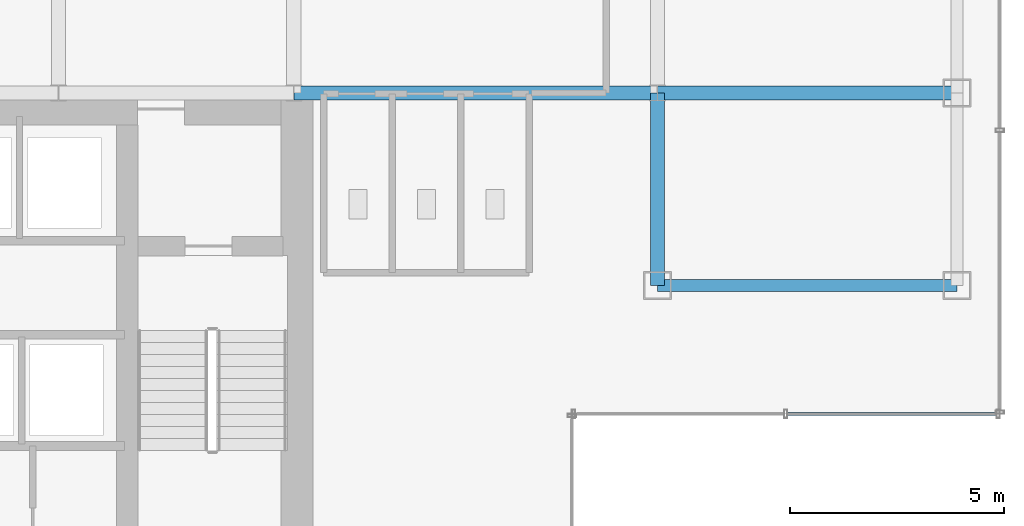
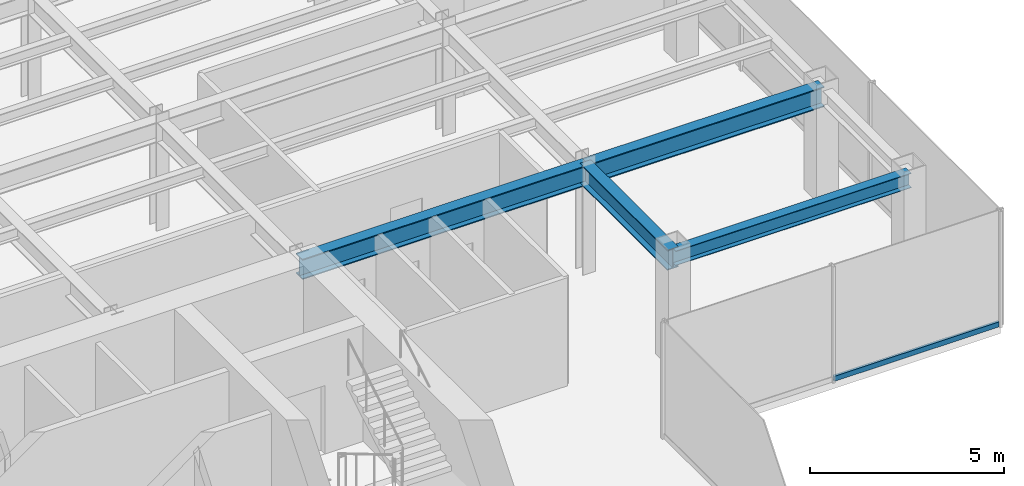
# One storey, part 10 of 25: 4 beams, 1 member, 1 element without a shape of its own.
"""IFC4 building model written with IfcOpenShell, lengths in metres."""

from ifc_helpers import new_model, si_unit, derived_unit, direction, frame, origin, origin_2d, place, context, subcontext, project, spatial, hollow_rectangle, i_section, extrude, source, transform, mapped, material, material_profile, profile_set, type_object, element, aggregate, save


model = new_model("IFC4")

# Units and contexts
model_context = context("Model", 3, precision=1e-05, world=origin(), true_north=direction((0.0, 1.0)))
body_context = subcontext(model_context, "Body", "Model", "MODEL_VIEW")
ifc_project = project(units=[si_unit("LENGTHUNIT", "METRE"), si_unit("AREAUNIT", "SQUARE_METRE"), si_unit("VOLUMEUNIT", "CUBIC_METRE"), si_unit("PLANEANGLEUNIT", "RADIAN"), si_unit("MASSUNIT", "GRAM", prefix="KILO"), derived_unit("THERMALTRANSMITTANCEUNIT", [(si_unit("POWERUNIT", "WATT"), 1), (si_unit("LENGTHUNIT", "METRE"), -2), (si_unit("THERMODYNAMICTEMPERATUREUNIT", "KELVIN"), -1)])], contexts=[model_context])

# Site, building, storey
site_placement = place(None, origin())
site = spatial("IfcSite", under=ifc_project, at=site_placement, CompositionType="ELEMENT")
building_placement = place(site_placement, origin())
building = spatial("IfcBuilding", under=site, at=building_placement, Name="Skarnbrae Concourse Arena and Tower", CompositionType="ELEMENT")
storey_placement = place(building_placement, frame((0.0, 0.0, 162.5)))
storey = spatial("IfcBuildingStorey", under=building, at=storey_placement, Name="L41", CompositionType="ELEMENT", Elevation=162.5)

# Beams
ifc_material_1 = material(Name="Steel CSA G40.21 350W", Category="steel")
ifc_material_profile_1 = material_profile(ifc_material_1, i_section(OverallWidth=0.280029296875, OverallDepth=0.462890625, WebThickness=0.0107421875, FlangeThickness=0.017333984375, at=origin_2d()), Name="W460X113")
ifc_profile_set_1 = profile_set([ifc_material_profile_1], Name="Steel CSA G40.21 350W")
beam_type_1 = type_object("IfcBeamType", Name="BM-SPAN-W460X113", PredefinedType="SPANDREL", material=ifc_profile_set_1)
shared_shape_1 = source(origin(), body_context, "Body", "SweptSolid", [
    extrude(i_section(OverallWidth=0.280029296875, OverallDepth=0.462890625, WebThickness=0.0107421875, FlangeThickness=0.017333984375, at=origin_2d()), origin(), (0.0, 0.0, 1.0), 7.0),
])
beam_1_placement = place(storey_placement, frame((42.0, 9.5, 3.16845703125), z_axis=(1.0, 0.0, 0.0), x_axis=(0.0, 1.0, 0.0)))
element("IfcBeam", 1, at=beam_1_placement, inside=storey, type_object=beam_type_1, Name="L41 Perimeter spandrel Y9.5-2", PredefinedType="SPANDREL", context=body_context, shape_type="MappedRepresentation", body=[
    mapped(shared_shape_1, transform((0.0, 0.0, 0.0))),
])
ifc_material_profile_2 = material_profile(ifc_material_1, i_section(OverallWidth=0.3291015625, OverallDepth=0.635009765625, WebThickness=0.017822265625, FlangeThickness=0.031005859375, at=origin_2d()), Name="W610X241")
ifc_profile_set_2 = profile_set([ifc_material_profile_2], Name="Steel CSA G40.21 350W")
beam_type_2 = type_object("IfcBeamType", Name="BM-GIRD-W610X241", PredefinedType="BEAM", material=ifc_profile_set_2)
shared_shape_2 = source(origin(), body_context, "Body", "SweptSolid", [
    extrude(i_section(OverallWidth=0.3291015625, OverallDepth=0.635009765625, WebThickness=0.017822265625, FlangeThickness=0.031005859375, at=origin_2d()), origin(), (0.0, 0.0, 1.0), 8.5),
])
beam_2_placement = place(storey_placement, frame((33.5, 14.0, 3.08251953125), z_axis=(1.0, 0.0, 0.0), x_axis=(0.0, 1.0, 0.0)))
element("IfcBeam", 2, at=beam_2_placement, inside=storey, type_object=beam_type_2, Name="L41 Primary E-W girder Y14.0-6", PredefinedType="BEAM", context=body_context, shape_type="MappedRepresentation", body=[
    mapped(shared_shape_2, transform((0.0, 0.0, 0.0))),
])
shared_shape_3 = source(origin(), body_context, "Body", "SweptSolid", [
    extrude(i_section(OverallWidth=0.3291015625, OverallDepth=0.635009765625, WebThickness=0.017822265625, FlangeThickness=0.031005859375, at=origin_2d()), origin(), (0.0, 0.0, 1.0), 7.0),
])
beam_3_placement = place(storey_placement, frame((42.0, 14.0, 3.08251953125), z_axis=(1.0, 0.0, 0.0), x_axis=(0.0, 1.0, 0.0)))
element("IfcBeam", 3, at=beam_3_placement, inside=storey, type_object=beam_type_2, Name="L41 Primary E-W girder Y14.0-7", PredefinedType="BEAM", context=body_context, shape_type="MappedRepresentation", body=[
    mapped(shared_shape_3, transform((0.0, 0.0, 0.0))),
])
shared_shape_4 = source(origin(), body_context, "Body", "SweptSolid", [
    extrude(i_section(OverallWidth=0.3291015625, OverallDepth=0.635009765625, WebThickness=0.017822265625, FlangeThickness=0.031005859375, at=origin_2d()), origin(), (0.0, 0.0, 1.0), 4.5),
])
beam_4_placement = place(storey_placement, frame((42.0, 9.5, 3.08251953125), z_axis=(0.0, 1.0, 0.0), x_axis=(-1.0, 0.0, 0.0)))
element("IfcBeam", 4, at=beam_4_placement, inside=storey, type_object=beam_type_2, Name="L41 Primary N-S girder X42.0-1", PredefinedType="BEAM", context=body_context, shape_type="MappedRepresentation", body=[
    mapped(shared_shape_4, transform((0.0, 0.0, 0.0))),
])

# Curtain wall, member
ifc_material_2 = material(Name="Bronze anodised aluminium 6063-T6", Category="aluminium")
curtain_wall_type = type_object("IfcCurtainWallType", Name="CW-SYS-04-MIDZONE", PredefinedType="USERDEFINED", material=ifc_material_2)
curtain_wall_placement = place(storey_placement, origin())
curtain_wall = element("IfcCurtainWall", 5, at=curtain_wall_placement, inside=storey, type_object=curtain_wall_type, Name="L41 Unitised curtain wall CW-L41-E03", ObjectType="UNITISED CURTAIN WALL", PredefinedType="USERDEFINED")
ifc_material_profile_3 = material_profile(ifc_material_2, hollow_rectangle(XDim=0.074951171875, YDim=0.159912109375, WallThickness=0.00439453125, at=origin_2d()), Name="ALU-TRAN-75X160")
ifc_profile_set_3 = profile_set([ifc_material_profile_3], Name="Bronze anodised aluminium 6063-T6")
member_type = type_object("IfcMemberType", Name="CWT-CW-04", PredefinedType="USERDEFINED", material=ifc_profile_set_3)
shared_shape_5 = source(origin(), body_context, "Body", "SweptSolid", [
    extrude(hollow_rectangle(XDim=0.074951171875, YDim=0.159912109375, WallThickness=0.00439453125, at=origin_2d()), origin(), (0.0, 0.0, 1.0), 4.887451171875),
])
member_placement = place(storey_placement, frame((45.03759765625, 6.5, 0.080078125), z_axis=(1.0, 0.0, 0.0), x_axis=(0.0, 1.0, 0.0)))
member = element("IfcMember", 6, at=member_placement, type_object=member_type, Name="CW-L41-E03 Transom 2", ObjectType="TRANSOM", PredefinedType="USERDEFINED", context=body_context, shape_type="MappedRepresentation", body=[
    mapped(shared_shape_5, transform((0.0, 0.0, 0.0))),
])
aggregate(curtain_wall, [member])

save(model, "model.ifc")
